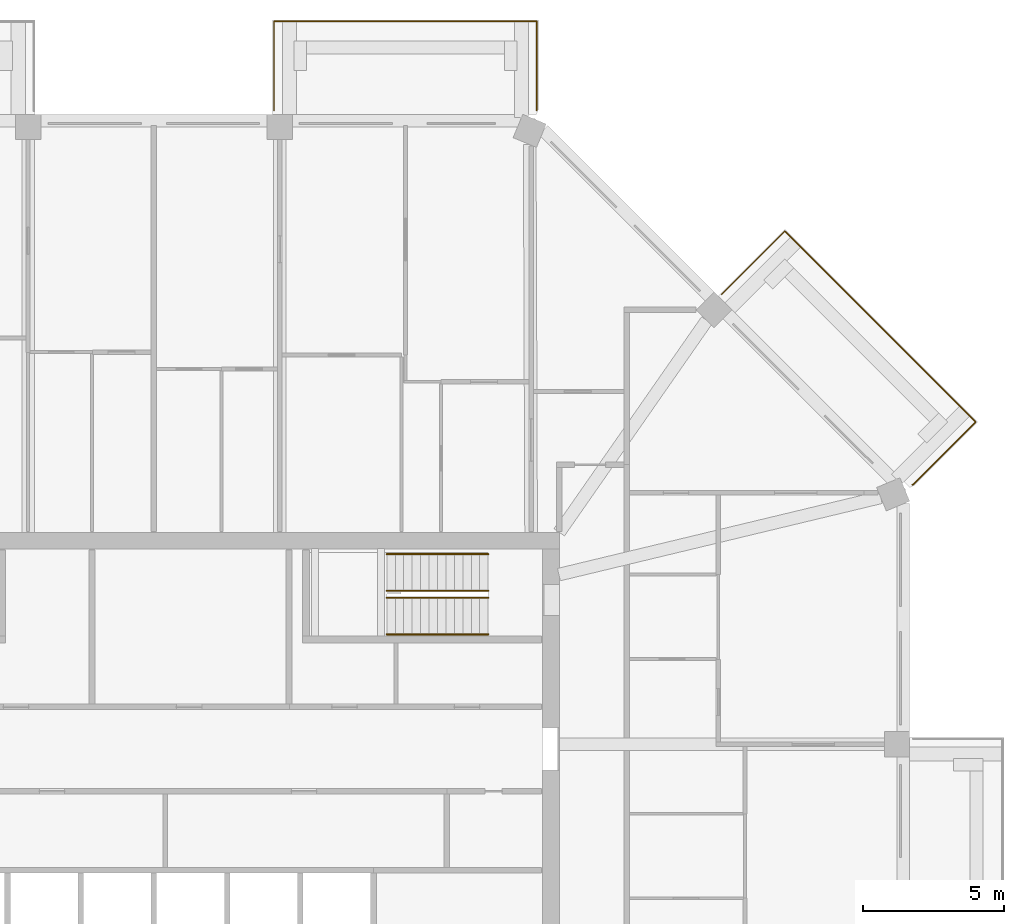
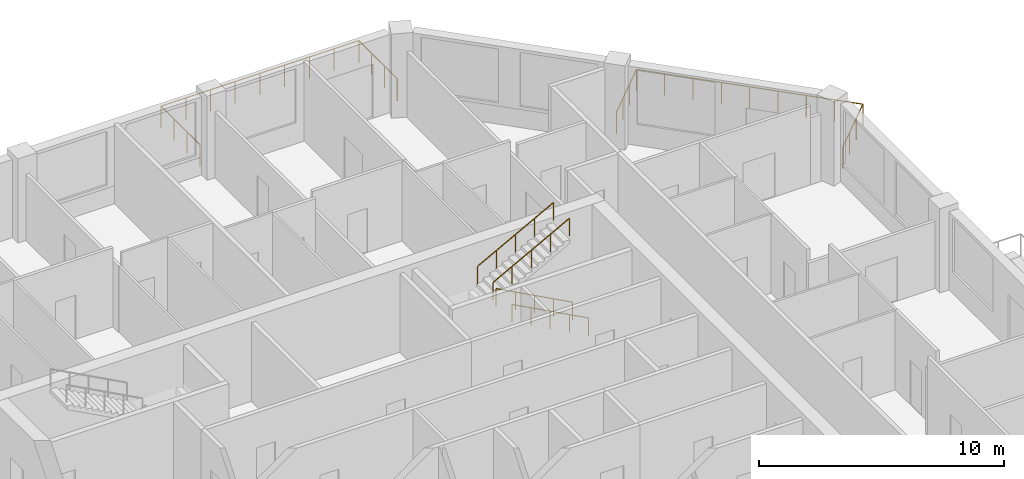
# One storey, part 13 of 13: 6 railings.
"""IFC4 building model written with IfcOpenShell, lengths in metres."""

import ifcopenshell
import ifcopenshell.guid

model = None  # the IFC model being written
_history = None  # IfcOwnerHistory: only IFC2X3 demands one
_inside = {}  # id of a spatial element -> (the spatial element, [elements in it])
_under = {}  # id of a project, library or spatial element -> (it, [spatial elements below it])
_declared = {}  # id of a project -> (the project, [libraries it declares])
_typed = {}  # id of a type object -> (the type object, [elements of that type])
_made_of = {}  # id of a material, layer set ... -> (it, [elements and type objects made of it])


def new_model(schema):
    """Start an empty IFC model of exactly this schema.

    Asked for "IFC4X3", IfcOpenShell would pick the latest addendum, in which some entities
    have other attributes; the version numbers below select the first issue.
    IFC2X3 requires an IfcOwnerHistory on every rooted entity: one is made here for all.
    """
    global model, _history
    if schema == "IFC4X3":
        model = ifcopenshell.file(schema_version=(4, 3, 0, 0))
    else:
        model = ifcopenshell.file(schema=schema)
    _inside.clear()
    _under.clear()
    _declared.clear()
    _typed.clear()
    _made_of.clear()
    _history = None
    if model.schema == "IFC2X3":
        org = make("IfcOrganization", Name="unknown")
        user = make(
            "IfcPersonAndOrganization",
            ThePerson=make("IfcPerson", FamilyName="unknown"),
            TheOrganization=org,
        )
        app = make(
            "IfcApplication",
            ApplicationDeveloper=org,
            Version="unknown",
            ApplicationFullName="unknown",
            ApplicationIdentifier="unknown",
        )
        _history = make(
            "IfcOwnerHistory",
            OwningUser=user,
            OwningApplication=app,
            ChangeAction="ADDED",
            CreationDate=0,
        )
    return model


def make(cls, **values):
    """One entity of the class cls with the attributes given. An attribute that is None is left unset."""
    return model.create_entity(
        cls, **{name: value for name, value in values.items() if value is not None}
    )


def rooted(cls, **values):
    """An entity with a GlobalId (a new one), such as an element, a storey or a relation."""
    return make(cls, GlobalId=ifcopenshell.guid.new(), OwnerHistory=_history, **values)


def si_unit(unit_type, name, prefix=None):
    """IfcSIUnit, for example si_unit("LENGTHUNIT", "METRE", prefix="MILLI")."""
    return make("IfcSIUnit", UnitType=unit_type, Prefix=prefix, Name=name)


def assignment(units):
    """IfcUnitAssignment: the units of a project."""
    return None if units is None else make("IfcUnitAssignment", Units=units)


def point(xyz):
    """IfcCartesianPoint."""
    return None if xyz is None else make("IfcCartesianPoint", Coordinates=xyz)


def direction(xyz):
    """IfcDirection."""
    return None if xyz is None else make("IfcDirection", DirectionRatios=xyz)


def frame(location, z_axis=None, x_axis=None):
    """IfcAxis2Placement3D, a coordinate frame: its origin and axes. An axis left out is left unset."""
    return make(
        "IfcAxis2Placement3D",
        Location=point(location),
        Axis=direction(z_axis),
        RefDirection=direction(x_axis),
    )


def frame_2d(location, x_axis=None):
    """IfcAxis2Placement2D, a coordinate frame in the plane: its origin and x axis."""
    return make(
        "IfcAxis2Placement2D", Location=point(location), RefDirection=direction(x_axis)
    )


def origin():
    """The frame at (0, 0, 0) with its axes left unset."""
    return frame((0.0, 0.0, 0.0))


def origin_2d():
    """The frame at (0, 0) in the plane with its x axis left unset."""
    return frame_2d((0.0, 0.0))


def place(relative_to, where):
    """IfcLocalPlacement: puts the frame where relative to a parent placement (None: the world)."""
    return make(
        "IfcLocalPlacement", PlacementRelTo=relative_to, RelativePlacement=where
    )


def context(
    kind, dimensions, precision=None, world=None, true_north=None, identifier=None
):
    """IfcGeometricRepresentationContext, for example the 3D "Model" context."""
    return make(
        "IfcGeometricRepresentationContext",
        ContextIdentifier=identifier,
        ContextType=kind,
        CoordinateSpaceDimension=dimensions,
        Precision=precision,
        WorldCoordinateSystem=world,
        TrueNorth=true_north,
    )


def subcontext(parent, identifier, kind, view, scale=None):
    """IfcGeometricRepresentationSubContext, for example "Body" below "Model"."""
    return make(
        "IfcGeometricRepresentationSubContext",
        ContextIdentifier=identifier,
        ContextType=kind,
        ParentContext=parent,
        TargetScale=scale,
        TargetView=view,
    )


def project(units=None, contexts=None):
    """IfcProject with its units and contexts."""
    return rooted(
        "IfcProject",
        Name="project",
        RepresentationContexts=contexts,
        UnitsInContext=assignment(units),
    )


def spatial(cls, under=None, at=None, **own):
    """A site, building, storey or space (cls), placed at a placement, below another one or the project."""
    s = rooted(cls, ObjectPlacement=at, **own)
    if under is not None:
        _under.setdefault(under.id(), (under, []))[1].append(s)
    return s


def profile(cls, at=None, kind="AREA", **sizes):
    """A parametric profile (cls). Its sizes go by their IFC names, for example OverallWidth=200.0."""
    return make(cls, ProfileType=kind, Position=at, **sizes)


def circle(**sizes):
    """IfcCircleProfileDef."""
    return profile("IfcCircleProfileDef", **sizes)


def extrude(swept, where, along, depth):
    """IfcExtrudedAreaSolid: the profile swept, set in the frame where, extruded along a direction by depth."""
    return make(
        "IfcExtrudedAreaSolid",
        SweptArea=swept,
        Position=where,
        ExtrudedDirection=direction(along),
        Depth=depth,
    )


def shape(context_of_items, identifier, shape_type, items):
    """IfcShapeRepresentation: the items that make up one representation, for example the "Body"."""
    return make(
        "IfcShapeRepresentation",
        ContextOfItems=context_of_items,
        RepresentationIdentifier=identifier,
        RepresentationType=shape_type,
        Items=items,
    )


def material(Name=None, Category=None):
    """IfcMaterial."""
    return make("IfcMaterial", Name=Name, Category=Category)


def constituent(of_material, Name=None, Category=None, fraction=None):
    """IfcMaterialConstituent: one of the materials an element consists of."""
    return make(
        "IfcMaterialConstituent",
        Name=Name,
        Material=of_material,
        Fraction=fraction,
        Category=Category,
    )


def constituent_set(constituents=None, Name=None):
    """IfcMaterialConstituentSet."""
    return make(
        "IfcMaterialConstituentSet", Name=Name, MaterialConstituents=constituents
    )


def made_of(thing, what):
    """Note that an element or type object is made of a material, layer set ...; save() writes the relation."""
    if what is not None:
        _made_of.setdefault(what.id(), (what, []))[1].append(thing)
    return thing


def type_object(cls, material=None, **own):
    """A type object (cls), such as IfcWallType, which elements share."""
    return made_of(rooted(cls, **own), material)


def element(
    cls,
    number,
    at=None,
    inside=None,
    cuts=None,
    type_object=None,
    material=None,
    context=None,
    identifier="Body",
    shape_type=None,
    held_by="IfcProductDefinitionShape",
    body=None,
    shapes=None,
    **own,
):
    """One element of the class cls, such as IfcWall. Its Tag is "e" and its number.

    at: its placement. inside: the storey or other place that contains it. cuts: it is an
    opening in that element (IfcRelVoidsElement). A single representation is given by context,
    identifier, shape_type and body (its items); several are given by shapes. held_by: the class
    of the entity that holds the representations. save() writes the other relations.
    """
    e = rooted(cls, Tag="e%d" % number, ObjectPlacement=at, **own)
    if body is not None:
        shapes = [shape(context, identifier, shape_type, body)]
    if shapes is not None:
        e.Representation = make(held_by, Representations=shapes)
    if inside is not None:
        _inside.setdefault(inside.id(), (inside, []))[1].append(e)
    if cuts is not None:
        rooted(
            "IfcRelVoidsElement", RelatingBuildingElement=cuts, RelatedOpeningElement=e
        )
    if type_object is not None:
        _typed.setdefault(type_object.id(), (type_object, []))[1].append(e)
    return made_of(e, material)


def aggregate(whole, parts):
    """IfcRelAggregates: a whole, such as a stair, and the parts it consists of."""
    return rooted("IfcRelAggregates", RelatingObject=whole, RelatedObjects=parts)


def save(model, path):
    """Write the relations noted so far, then the file.

    IfcRelAggregates (storeys below a building ...), IfcRelContainedInSpatialStructure (elements
    in a storey), IfcRelDefinesByType, IfcRelAssociatesMaterial and IfcRelDeclares: one each for
    every whole, place, type object, material and project.
    """
    for whole, parts in _under.values():
        aggregate(whole, parts)
    for where, things in _inside.values():
        rooted(
            "IfcRelContainedInSpatialStructure",
            RelatedElements=things,
            RelatingStructure=where,
        )
    for kind, things in _typed.values():
        rooted("IfcRelDefinesByType", RelatedObjects=things, RelatingType=kind)
    for what, things in _made_of.values():
        rooted("IfcRelAssociatesMaterial", RelatedObjects=things, RelatingMaterial=what)
    for by, libraries in _declared.values():
        rooted("IfcRelDeclares", RelatingContext=by, RelatedDefinitions=libraries)
    model.write(path)


model = new_model("IFC4")

# Units and contexts
model_context = context("Model", 3, precision=1e-05, world=origin(), true_north=direction((0.0, 1.0)))
body_context = subcontext(model_context, "Body", "Model", "MODEL_VIEW")
ifc_project = project(units=[si_unit("LENGTHUNIT", "METRE"), si_unit("AREAUNIT", "SQUARE_METRE"), si_unit("VOLUMEUNIT", "CUBIC_METRE"), si_unit("PLANEANGLEUNIT", "RADIAN"), si_unit("MASSUNIT", "GRAM", prefix="KILO")], contexts=[model_context])

# Site, building, storey
site_placement = place(None, origin())
site = spatial("IfcSite", under=ifc_project, at=site_placement, CompositionType="ELEMENT")
building_placement = place(site_placement, origin())
building = spatial("IfcBuilding", under=site, at=building_placement, Name="Msitu Wima Residences", CompositionType="ELEMENT")
storey_placement = place(building_placement, frame((0.0, 0.0, 289.5)))
storey = spatial("IfcBuildingStorey", under=building, at=storey_placement, Name="L67", CompositionType="ELEMENT", Elevation=289.5)

# Railings
ifc_material_1 = material(Name="Steel S355", Category="steel")
ifc_constituent_1 = constituent(ifc_material_1, Name="Steel S355")
ifc_material_2 = material(Name="Weathering patina")
ifc_constituent_2 = constituent(ifc_material_2, Name="Weathering patina")
ifc_constituent_set_1 = constituent_set(constituents=[ifc_constituent_1, ifc_constituent_2], Name="Steel S355")
railing_type_1 = type_object("IfcRailingType", Name="Balcony guard GR1100", PredefinedType="GUARDRAIL", material=ifc_constituent_set_1)
railing_1_placement = place(storey_placement, frame((20.171630859375, 20.45458984375, 0.0)))
element("IfcRailing", 1, at=railing_1_placement, inside=storey, type_object=railing_type_1, Name="Balcony guard NE0 L67", PredefinedType="GUARDRAIL", context=body_context, shape_type="SweptSolid", body=[
    extrude(circle(Radius=0.02392578125, at=origin_2d()), frame((0.0, 0.0, 1.076171875), z_axis=(0.707106781187, 0.707106781187, 0.0), x_axis=(-0.707106781187, 0.707106781187, 0.0)), (0.0, 0.0, 1.0), 3.169921875),
    extrude(circle(Radius=0.02392578125, at=origin_2d()), frame((2.241455078125, 2.241455078125, 1.076171875), z_axis=(0.707106781187, -0.707106781187, 0.0), x_axis=(0.707106781187, 0.707106781187, 0.0)), (0.0, 0.0, 1.0), 9.58837890625),
    extrude(circle(Radius=0.02392578125, at=origin_2d()), frame((9.021484375, -4.53857421875, 1.076171875), z_axis=(-0.707106781187, -0.707106781187, 0.0), x_axis=(0.707106781187, -0.707106781187, 0.0)), (0.0, 0.0, 1.0), 3.136474609375),
    extrude(circle(Radius=0.02392578125, at=origin_2d()), frame((6.8037109375, -6.75634765625, 1.076171875), z_axis=(-0.92426142649, -0.38176015442, 0.0), x_axis=(0.38176015442, -0.92426142649, 0.0)), (0.0, 0.0, 1.0), 0.036376953125),
    extrude(circle(Radius=0.02099609375, at=origin_2d()), origin(), (0.0, 0.0, 1.0), 1.052001953125),
    extrude(circle(Radius=0.02099609375, at=origin_2d()), frame((0.7470703125, 0.7470703125, 0.0)), (0.0, 0.0, 1.0), 1.052001953125),
    extrude(circle(Radius=0.02099609375, at=origin_2d()), frame((1.494384765625, 1.494384765625, 0.0)), (0.0, 0.0, 1.0), 1.052001953125),
    extrude(circle(Radius=0.02099609375, at=origin_2d()), frame((2.241455078125, 2.241455078125, 0.0)), (0.0, 0.0, 1.0), 1.052001953125),
    extrude(circle(Radius=0.02099609375, at=origin_2d()), frame((3.0888671875, 1.39404296875, 0.0)), (0.0, 0.0, 1.0), 1.052001953125),
    extrude(circle(Radius=0.02099609375, at=origin_2d()), frame((3.9365234375, 0.54638671875, 0.0)), (0.0, 0.0, 1.0), 1.052001953125),
    extrude(circle(Radius=0.02099609375, at=origin_2d()), frame((4.783935546875, -0.301025390625, 0.0)), (0.0, 0.0, 1.0), 1.052001953125),
    extrude(circle(Radius=0.02099609375, at=origin_2d()), frame((5.63134765625, -1.1484375, 0.0)), (0.0, 0.0, 1.0), 1.052001953125),
    extrude(circle(Radius=0.02099609375, at=origin_2d()), frame((6.47900390625, -1.99609375, 0.0)), (0.0, 0.0, 1.0), 1.052001953125),
    extrude(circle(Radius=0.02099609375, at=origin_2d()), frame((7.326416015625, -2.843505859375, 0.0)), (0.0, 0.0, 1.0), 1.052001953125),
    extrude(circle(Radius=0.02099609375, at=origin_2d()), frame((8.174072265625, -3.691162109375, 0.0)), (0.0, 0.0, 1.0), 1.052001953125),
    extrude(circle(Radius=0.02099609375, at=origin_2d()), frame((9.021484375, -4.53857421875, 0.0)), (0.0, 0.0, 1.0), 1.052001953125),
    extrude(circle(Radius=0.02099609375, at=origin_2d()), frame((8.2822265625, -5.27783203125, 0.0)), (0.0, 0.0, 1.0), 1.052001953125),
    extrude(circle(Radius=0.02099609375, at=origin_2d()), frame((7.54296875, -6.01708984375, 0.0)), (0.0, 0.0, 1.0), 1.052001953125),
    extrude(circle(Radius=0.02099609375, at=origin_2d()), frame((6.8037109375, -6.75634765625, 0.0)), (0.0, 0.0, 1.0), 1.052001953125),
    extrude(circle(Radius=0.02099609375, at=origin_2d()), frame((6.77001953125, -6.770263671875, 0.0)), (0.0, 0.0, 1.0), 1.052001953125),
])
railing_2_placement = place(storey_placement, frame((4.2685546875, 26.97998046875, 0.0)))
element("IfcRailing", 2, at=railing_2_placement, inside=storey, type_object=railing_type_1, Name="Balcony guard N0 L67", PredefinedType="GUARDRAIL", context=body_context, shape_type="SweptSolid", body=[
    extrude(circle(Radius=0.02392578125, at=origin_2d()), frame((0.0, 0.0, 1.076171875), z_axis=(0.0, 1.0, 0.0), x_axis=(-1.0, 0.0, 0.0)), (0.0, 0.0, 1.0), 3.169921875),
    extrude(circle(Radius=0.02392578125, at=origin_2d()), frame((0.0, 3.169921875, 1.076171875), z_axis=(1.0, 0.0, 0.0), x_axis=(0.0, 1.0, 0.0)), (0.0, 0.0, 1.0), 9.33740234375),
    extrude(circle(Radius=0.02392578125, at=origin_2d()), frame((9.33740234375, 3.169921875, 1.076171875), z_axis=(0.0, -1.0, 0.0), x_axis=(1.0, 0.0, 0.0)), (0.0, 0.0, 1.0), 3.136474609375),
    extrude(circle(Radius=0.02392578125, at=origin_2d()), frame((9.33740234375, 0.033447265625, 1.076171875), z_axis=(-0.384136806859, -0.923276184907, 0.0), x_axis=(0.923276184907, -0.384136806859, 0.0)), (0.0, 0.0, 1.0), 0.0361328125),
    extrude(circle(Radius=0.02099609375, at=origin_2d()), origin(), (0.0, 0.0, 1.0), 1.052001953125),
    extrude(circle(Radius=0.02099609375, at=origin_2d()), frame((0.0, 1.056640625, 0.0)), (0.0, 0.0, 1.0), 1.052001953125),
    extrude(circle(Radius=0.02099609375, at=origin_2d()), frame((0.0, 2.11328125, 0.0)), (0.0, 0.0, 1.0), 1.052001953125),
    extrude(circle(Radius=0.02099609375, at=origin_2d()), frame((0.0, 3.169921875, 0.0)), (0.0, 0.0, 1.0), 1.052001953125),
    extrude(circle(Radius=0.02099609375, at=origin_2d()), frame((1.167236328125, 3.169921875, 0.0)), (0.0, 0.0, 1.0), 1.052001953125),
    extrude(circle(Radius=0.02099609375, at=origin_2d()), frame((2.33447265625, 3.169921875, 0.0)), (0.0, 0.0, 1.0), 1.052001953125),
    extrude(circle(Radius=0.02099609375, at=origin_2d()), frame((3.50146484375, 3.169921875, 0.0)), (0.0, 0.0, 1.0), 1.052001953125),
    extrude(circle(Radius=0.02099609375, at=origin_2d()), frame((4.668701171875, 3.169921875, 0.0)), (0.0, 0.0, 1.0), 1.052001953125),
    extrude(circle(Radius=0.02099609375, at=origin_2d()), frame((5.8359375, 3.169921875, 0.0)), (0.0, 0.0, 1.0), 1.052001953125),
    extrude(circle(Radius=0.02099609375, at=origin_2d()), frame((7.0029296875, 3.169921875, 0.0)), (0.0, 0.0, 1.0), 1.052001953125),
    extrude(circle(Radius=0.02099609375, at=origin_2d()), frame((8.170166015625, 3.169921875, 0.0)), (0.0, 0.0, 1.0), 1.052001953125),
    extrude(circle(Radius=0.02099609375, at=origin_2d()), frame((9.33740234375, 3.169921875, 0.0)), (0.0, 0.0, 1.0), 1.052001953125),
    extrude(circle(Radius=0.02099609375, at=origin_2d()), frame((9.33740234375, 2.12451171875, 0.0)), (0.0, 0.0, 1.0), 1.052001953125),
    extrude(circle(Radius=0.02099609375, at=origin_2d()), frame((9.33740234375, 1.078857421875, 0.0)), (0.0, 0.0, 1.0), 1.052001953125),
    extrude(circle(Radius=0.02099609375, at=origin_2d()), frame((9.33740234375, 0.033447265625, 0.0)), (0.0, 0.0, 1.0), 1.052001953125),
    extrude(circle(Radius=0.02099609375, at=origin_2d()), frame((9.323486328125, 0.0, 0.0)), (0.0, 0.0, 1.0), 1.052001953125),
])
ifc_constituent_3 = constituent(ifc_material_1, Name="Steel S355")
ifc_material_3 = material(Name="Black powder coating")
ifc_constituent_4 = constituent(ifc_material_3, Name="Black powder coating")
ifc_constituent_set_2 = constituent_set(constituents=[ifc_constituent_3, ifc_constituent_4], Name="Steel S355")
railing_type_2 = type_object("IfcRailingType", Name="Stair handrail HR1", PredefinedType="HANDRAIL", material=ifc_constituent_set_2)
for number, where, name in (
    (3, (11.875, 8.375, 0.16162109375), "Stair 3 handrail"),
    (4, (11.875, 9.675048828125, 0.16162109375), "Stair 3 handrail"),
):
    element("IfcRailing", number, at=place(storey_placement, frame(where)), inside=storey, type_object=railing_type_2, Name=name, PredefinedType="HANDRAIL", context=body_context, shape_type="SweptSolid", body=[
        extrude(circle(Radius=0.02392578125, at=origin_2d()), frame((0.0, 0.0, 0.8759765625), z_axis=(-0.880474934443, 0.0, 0.474092701714), x_axis=(0.0, -1.0, 0.0)), (0.0, 0.0, 1.0), 4.0888671875),
        extrude(circle(Radius=0.02099609375, at=origin_2d()), origin(), (0.0, 0.0, 1.0), 0.851806640625),
        extrude(circle(Radius=0.02099609375, at=origin_2d()), frame((-0.89990234375, 0.0, 0.484619140625)), (0.0, 0.0, 1.0), 0.851806640625),
        extrude(circle(Radius=0.02099609375, at=origin_2d()), frame((-1.800048828125, 0.0, 0.96923828125)), (0.0, 0.0, 1.0), 0.851806640625),
        extrude(circle(Radius=0.02099609375, at=origin_2d()), frame((-2.7001953125, 0.0, 1.453857421875)), (0.0, 0.0, 1.0), 0.851806640625),
        extrude(circle(Radius=0.02099609375, at=origin_2d()), frame((-3.60009765625, 0.0, 1.9384765625)), (0.0, 0.0, 1.0), 0.851806640625),
    ])
for number, where, name in (
    (5, (8.27490234375, 9.925048828125, 2.261474609375), "Stair 3 handrail"),
    (6, (8.27490234375, 11.22509765625, 2.261474609375), "Stair 3 handrail"),
):
    element("IfcRailing", number, at=place(storey_placement, frame(where)), inside=storey, type_object=railing_type_2, Name=name, PredefinedType="HANDRAIL", context=body_context, shape_type="SweptSolid", body=[
        extrude(circle(Radius=0.02392578125, at=origin_2d()), frame((0.0, 0.0, 0.8759765625), z_axis=(0.880474934443, 0.0, 0.474092701714), x_axis=(0.0, 1.0, 0.0)), (0.0, 0.0, 1.0), 4.0888671875),
        extrude(circle(Radius=0.02099609375, at=origin_2d()), origin(), (0.0, 0.0, 1.0), 0.851806640625),
        extrude(circle(Radius=0.02099609375, at=origin_2d()), frame((0.89990234375, 0.0, 0.484619140625)), (0.0, 0.0, 1.0), 0.851806640625),
        extrude(circle(Radius=0.02099609375, at=origin_2d()), frame((1.800048828125, 0.0, 0.96923828125)), (0.0, 0.0, 1.0), 0.851806640625),
        extrude(circle(Radius=0.02099609375, at=origin_2d()), frame((2.7001953125, 0.0, 1.453857421875)), (0.0, 0.0, 1.0), 0.851806640625),
        extrude(circle(Radius=0.02099609375, at=origin_2d()), frame((3.60009765625, 0.0, 1.9384765625)), (0.0, 0.0, 1.0), 0.851806640625),
    ])

save(model, "model.ifc")
